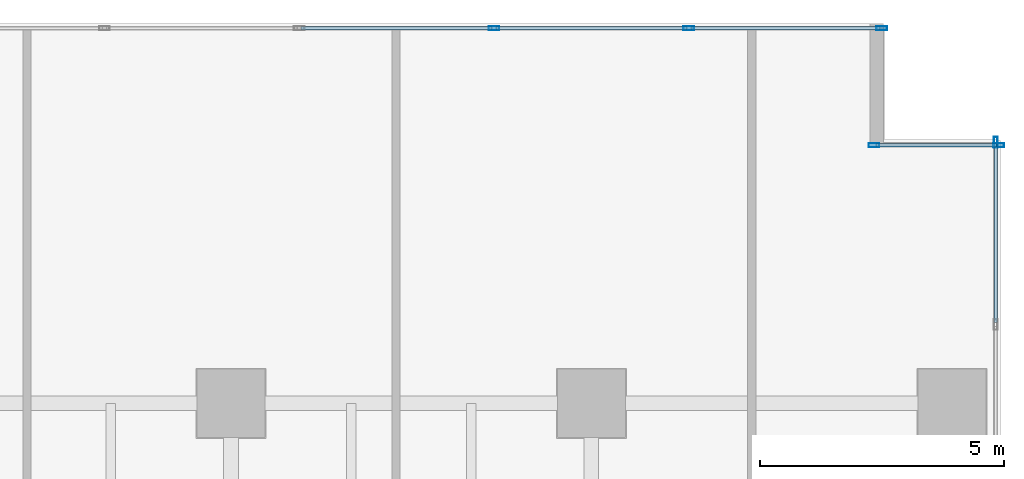
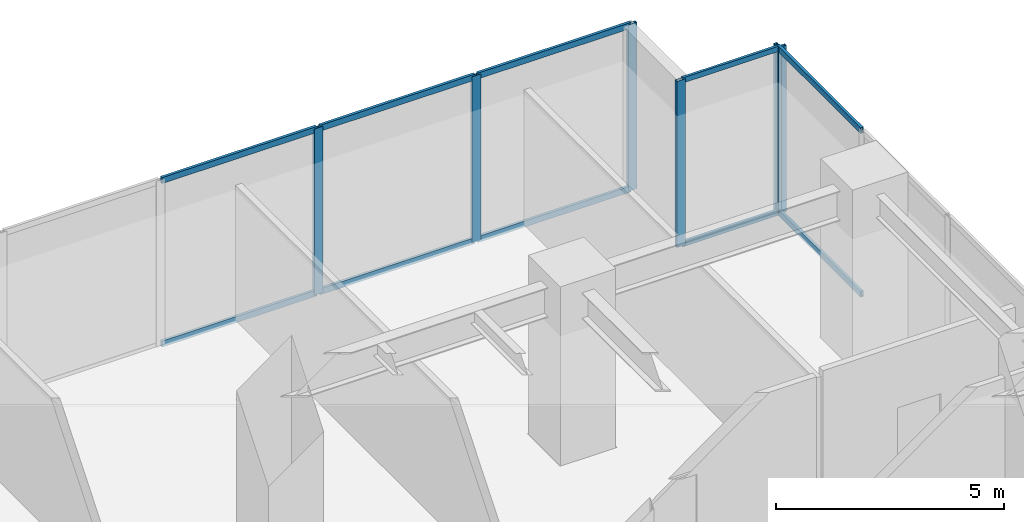
# One storey, part 27 of 39: 16 members, 3 elements without a shape of their own.
"""IFC4 building model written with IfcOpenShell, lengths in metres."""

from ifc_helpers import new_model, si_unit, direction, frame, origin, origin_2d, place, context, subcontext, project, spatial, hollow_rectangle, extrude, source, transform, mapped, material, layer, layer_set, material_profile, profile_set, type_object, type_shapes, element, aggregate, save


model = new_model("IFC4")

# Units and contexts
model_context = context("Model", 3, precision=1e-05, world=origin(), true_north=direction((0.0, 1.0)))
body_context = subcontext(model_context, "Body", "Model", "MODEL_VIEW")
ifc_project = project(units=[si_unit("LENGTHUNIT", "METRE"), si_unit("AREAUNIT", "SQUARE_METRE"), si_unit("VOLUMEUNIT", "CUBIC_METRE"), si_unit("PLANEANGLEUNIT", "RADIAN"), si_unit("MASSUNIT", "GRAM", prefix="KILO")], contexts=[model_context])

# Site, building, storey
site_placement = place(None, origin())
site = spatial("IfcSite", under=ifc_project, at=site_placement, CompositionType="ELEMENT")
building_placement = place(site_placement, origin())
building = spatial("IfcBuilding", under=site, at=building_placement, Name="Haelvirn Gate Laboratories", CompositionType="ELEMENT")
storey_placement = place(building_placement, frame((0.0, 0.0, 15.0)))
storey = spatial("IfcBuildingStorey", under=building, at=storey_placement, Name="L04", CompositionType="ELEMENT", Elevation=15.0)

# Curtain wall, members
ifc_material_1 = material(Name="Anodised bronze unitised aluminium & triple low-E glass", Category="aluminium")
ifc_layer_1 = layer(ifc_material_1, 0.18798828125, Name="CW-SYS-1")
ifc_layer_set_1 = layer_set([ifc_layer_1], Name="Anodised bronze unitised aluminium & triple low-E glass")
curtain_wall_type_1 = type_object("IfcCurtainWallType", Name="CW-SYS-1", PredefinedType="NOTDEFINED", material=ifc_layer_set_1)
curtain_wall_1_placement = place(storey_placement, origin())
curtain_wall_1 = element("IfcCurtainWall", 1, at=curtain_wall_1_placement, inside=storey, type_object=curtain_wall_type_1, Name="L04 Unitised Curtain Wall CW-L04-P1-E06-1", PredefinedType="NOTDEFINED")
ifc_material_2 = material(Name="Extruded aluminium 6063-T6 (anodised bronze)", Category="aluminium")
ifc_material_profile_1 = material_profile(ifc_material_2, hollow_rectangle(XDim=0.070068359375, YDim=0.159912109375, WallThickness=0.0048828125, at=origin_2d()), Name="CWT-160x70x5")
ifc_profile_set_1 = profile_set([ifc_material_profile_1], Name="Extruded aluminium 6063-T6 (anodised bronze)")
member_type_1 = type_object("IfcMemberType", Name="CWT-T160", PredefinedType="USERDEFINED", material=ifc_profile_set_1)
shared_shape_1 = source(origin(), body_context, "Body", "SweptSolid", [
    extrude(hollow_rectangle(XDim=0.070068359375, YDim=0.159912109375, WallThickness=0.0048828125, at=origin_2d()), origin(), (0.0, 0.0, 1.0), 3.880126953125),
])
member_1_placement = place(storey_placement, frame((69.43994140625, 49.300048828125, 0.034912109375), z_axis=(1.0, 0.0, 0.0), x_axis=(0.0, 1.0, 0.0)))
member_1 = element("IfcMember", 2, at=member_1_placement, type_object=member_type_1, Name="CW1 transom 6.1", ObjectType="TRANSOM", PredefinedType="USERDEFINED", context=body_context, shape_type="MappedRepresentation", body=[
    mapped(shared_shape_1, transform((0.0, 0.0, 0.0), scale=1.0)),
])
member_2_placement = place(storey_placement, frame((69.43994140625, 49.300048828125, 4.4150390625), z_axis=(1.0, 0.0, 0.0), x_axis=(0.0, 1.0, 0.0)))
member_2 = element("IfcMember", 3, at=member_2_placement, type_object=member_type_1, Name="CW1 transom 6.2", ObjectType="TRANSOM", PredefinedType="USERDEFINED", context=body_context, shape_type="MappedRepresentation", body=[
    mapped(shared_shape_1, transform((0.0, 0.0, 0.0), scale=1.0)),
])
shared_shape_2 = source(origin(), body_context, "Body", "SweptSolid", [
    extrude(hollow_rectangle(XDim=0.070068359375, YDim=0.159912109375, WallThickness=0.0048828125, at=origin_2d()), origin(), (0.0, 0.0, 1.0), 3.920166015625),
])
member_3_placement = place(storey_placement, frame((61.43994140625, 49.300048828125, 0.034912109375), z_axis=(1.0, 0.0, 0.0), x_axis=(0.0, 1.0, 0.0)))
member_3 = element("IfcMember", 4, at=member_3_placement, type_object=member_type_1, Name="CW1 transom 4.1", ObjectType="TRANSOM", PredefinedType="USERDEFINED", context=body_context, shape_type="MappedRepresentation", body=[
    mapped(shared_shape_2, transform((0.0, 0.0, 0.0), scale=1.0)),
])
member_4_placement = place(storey_placement, frame((61.43994140625, 49.300048828125, 4.4150390625), z_axis=(1.0, 0.0, 0.0), x_axis=(0.0, 1.0, 0.0)))
member_4 = element("IfcMember", 5, at=member_4_placement, type_object=member_type_1, Name="CW1 transom 4.2", ObjectType="TRANSOM", PredefinedType="USERDEFINED", context=body_context, shape_type="MappedRepresentation", body=[
    mapped(shared_shape_2, transform((0.0, 0.0, 0.0), scale=1.0)),
])
member_5_placement = place(storey_placement, frame((65.43994140625, 49.300048828125, 0.034912109375), z_axis=(1.0, 0.0, 0.0), x_axis=(0.0, 1.0, 0.0)))
member_5 = element("IfcMember", 6, at=member_5_placement, type_object=member_type_1, Name="CW1 transom 5.1", ObjectType="TRANSOM", PredefinedType="USERDEFINED", context=body_context, shape_type="MappedRepresentation", body=[
    mapped(shared_shape_2, transform((0.0, 0.0, 0.0), scale=1.0)),
])
member_6_placement = place(storey_placement, frame((65.43994140625, 49.300048828125, 4.4150390625), z_axis=(1.0, 0.0, 0.0), x_axis=(0.0, 1.0, 0.0)))
member_6 = element("IfcMember", 7, at=member_6_placement, type_object=member_type_1, Name="CW1 transom 5.2", ObjectType="TRANSOM", PredefinedType="USERDEFINED", context=body_context, shape_type="MappedRepresentation", body=[
    mapped(shared_shape_2, transform((0.0, 0.0, 0.0), scale=1.0)),
])

ifc_layer_2 = layer(ifc_material_1, 0.181884765625, Name="CW-SYS-5")
ifc_layer_set_2 = layer_set([ifc_layer_2], Name="Anodised bronze unitised aluminium & triple low-E glass")
curtain_wall_type_2 = type_object("IfcCurtainWallType", Name="CW-SYS-5", PredefinedType="NOTDEFINED", material=ifc_layer_set_2)
curtain_wall_2_placement = place(storey_placement, origin())
curtain_wall_2 = element("IfcCurtainWall", 8, at=curtain_wall_2_placement, inside=storey, type_object=curtain_wall_type_2, Name="L04 Unitised Curtain Wall CW-L04-P1-E04-1", PredefinedType="NOTDEFINED")
ifc_material_profile_2 = material_profile(ifc_material_2, hollow_rectangle(XDim=0.06494140625, YDim=0.139892578125, WallThickness=0.00390625, at=origin_2d()), Name="CWT-140x65x4")
ifc_profile_set_2 = profile_set([ifc_material_profile_2], Name="Extruded aluminium 6063-T6 (anodised bronze)")
member_type_2 = type_object("IfcMemberType", Name="CWT-T140", PredefinedType="USERDEFINED", material=ifc_profile_set_2)
shared_shape_3 = source(origin(), body_context, "Body", "SweptSolid", [
    extrude(hollow_rectangle(XDim=0.06494140625, YDim=0.139892578125, WallThickness=0.00390625, at=origin_2d()), origin(), (0.0, 0.0, 1.0), 2.47998046875),
])
type_shapes(member_type_2, [shared_shape_3])
member_7_placement = place(storey_placement, frame((73.239990234375, 46.89990234375, 0.032470703125), z_axis=(1.0, 0.0, 0.0), x_axis=(0.0, 1.0, 0.0)))
member_7 = element("IfcMember", 9, at=member_7_placement, type_object=member_type_2, Name="CW5 transom 1.1", ObjectType="TRANSOM", PredefinedType="USERDEFINED", context=body_context, shape_type="MappedRepresentation", body=[
    mapped(shared_shape_3, transform((0.0, 0.0, 0.0), scale=1.0)),
])
member_8_placement = place(storey_placement, frame((73.239990234375, 46.89990234375, 4.41748046875), z_axis=(1.0, 0.0, 0.0), x_axis=(0.0, 1.0, 0.0)))
member_8 = element("IfcMember", 10, at=member_8_placement, type_object=member_type_2, Name="CW5 transom 1.2", ObjectType="TRANSOM", PredefinedType="USERDEFINED", context=body_context, shape_type="MappedRepresentation", body=[
    mapped(shared_shape_3, transform((0.0, 0.0, 0.0), scale=1.0)),
])

curtain_wall_3_placement = place(storey_placement, origin())
curtain_wall_3 = element("IfcCurtainWall", 11, at=curtain_wall_3_placement, inside=storey, type_object=curtain_wall_type_1, Name="L04 Unitised Curtain Wall CW-L04-P1-E03", PredefinedType="NOTDEFINED")
shared_shape_4 = source(origin(), body_context, "Body", "SweptSolid", [
    extrude(hollow_rectangle(XDim=0.070068359375, YDim=0.159912109375, WallThickness=0.0048828125, at=origin_2d()), origin(), (0.0, 0.0, 1.0), 3.663330078125),
])
type_shapes(member_type_1, [shared_shape_1, shared_shape_2, shared_shape_4])
member_9_placement = place(storey_placement, frame((75.699951171875, 43.256591796875, 0.034912109375), z_axis=(0.0, 1.0, 0.0), x_axis=(-1.0, 0.0, 0.0)))
member_9 = element("IfcMember", 12, at=member_9_placement, type_object=member_type_1, Name="CW1 transom 12.1", ObjectType="TRANSOM", PredefinedType="USERDEFINED", context=body_context, shape_type="MappedRepresentation", body=[
    mapped(shared_shape_4, transform((0.0, 0.0, 0.0), scale=1.0)),
])
member_10_placement = place(storey_placement, frame((75.699951171875, 43.256591796875, 4.4150390625), z_axis=(0.0, 1.0, 0.0), x_axis=(-1.0, 0.0, 0.0)))
member_10 = element("IfcMember", 13, at=member_10_placement, type_object=member_type_1, Name="CW1 transom 12.2", ObjectType="TRANSOM", PredefinedType="USERDEFINED", context=body_context, shape_type="MappedRepresentation", body=[
    mapped(shared_shape_4, transform((0.0, 0.0, 0.0), scale=1.0)),
])
ifc_material_profile_3 = material_profile(ifc_material_2, hollow_rectangle(XDim=0.080078125, YDim=0.219970703125, WallThickness=0.006103515625, at=origin_2d()), Name="CWM-220x80x6")
ifc_profile_set_3 = profile_set([ifc_material_profile_3], Name="Extruded aluminium 6063-T6 (anodised bronze)")
member_type_3 = type_object("IfcMemberType", Name="CWM-T220", PredefinedType="MULLION", material=ifc_profile_set_3)
shared_shape_5 = source(origin(), body_context, "Body", "SweptSolid", [
    extrude(hollow_rectangle(XDim=0.080078125, YDim=0.219970703125, WallThickness=0.006103515625, at=origin_2d()), origin(), (0.0, 0.0, 1.0), 4.449951171875),
])
type_shapes(member_type_3, [shared_shape_5])
member_11_placement = place(storey_placement, frame((75.699951171875, 46.9599609375, 0.0), z_axis=(0.0, 0.0, 1.0), x_axis=(-1.0, 0.0, 0.0)))
member_11 = element("IfcMember", 14, at=member_11_placement, type_object=member_type_3, Name="CW1 mullion 13", PredefinedType="MULLION", context=body_context, shape_type="MappedRepresentation", body=[
    mapped(shared_shape_5, transform((0.0, 0.0, 0.0), scale=1.0)),
])
aggregate(curtain_wall_3, [member_11, member_9, member_10])

# Member
member_12_placement = place(storey_placement, frame((73.199951171875, 46.89990234375, 0.0), z_axis=(0.0, 0.0, 1.0), x_axis=(0.0, 1.0, 0.0)))
member_12 = element("IfcMember", 15, at=member_12_placement, type_object=member_type_3, Name="CW5 mullion 1", PredefinedType="MULLION", context=body_context, shape_type="MappedRepresentation", body=[
    mapped(shared_shape_5, transform((0.0, 0.0, 0.0), scale=1.0)),
])

member_13_placement = place(storey_placement, frame((75.760009765625, 46.89990234375, 0.0), z_axis=(0.0, 0.0, 1.0), x_axis=(0.0, 1.0, 0.0)))
member_13 = element("IfcMember", 16, at=member_13_placement, type_object=member_type_3, Name="CW5 mullion 2", PredefinedType="MULLION", context=body_context, shape_type="MappedRepresentation", body=[
    mapped(shared_shape_5, transform((0.0, 0.0, 0.0), scale=1.0)),
])

aggregate(curtain_wall_2, [member_12, member_13, member_7, member_8])

member_14_placement = place(storey_placement, frame((65.39990234375, 49.300048828125, 0.0), z_axis=(0.0, 0.0, 1.0), x_axis=(0.0, 1.0, 0.0)))
member_14 = element("IfcMember", 17, at=member_14_placement, type_object=member_type_3, Name="CW1 mullion 5", PredefinedType="MULLION", context=body_context, shape_type="MappedRepresentation", body=[
    mapped(shared_shape_5, transform((0.0, 0.0, 0.0), scale=1.0)),
])

member_15_placement = place(storey_placement, frame((69.39990234375, 49.300048828125, 0.0), z_axis=(0.0, 0.0, 1.0), x_axis=(0.0, 1.0, 0.0)))
member_15 = element("IfcMember", 18, at=member_15_placement, type_object=member_type_3, Name="CW1 mullion 6", PredefinedType="MULLION", context=body_context, shape_type="MappedRepresentation", body=[
    mapped(shared_shape_5, transform((0.0, 0.0, 0.0), scale=1.0)),
])

member_16_placement = place(storey_placement, frame((73.360107421875, 49.300048828125, 0.0), z_axis=(0.0, 0.0, 1.0), x_axis=(0.0, 1.0, 0.0)))
member_16 = element("IfcMember", 19, at=member_16_placement, type_object=member_type_3, Name="CW1 mullion 7", PredefinedType="MULLION", context=body_context, shape_type="MappedRepresentation", body=[
    mapped(shared_shape_5, transform((0.0, 0.0, 0.0), scale=1.0)),
])

aggregate(curtain_wall_1, [member_14, member_15, member_16, member_3, member_4, member_5, member_6, member_1, member_2])

save(model, "model.ifc")
